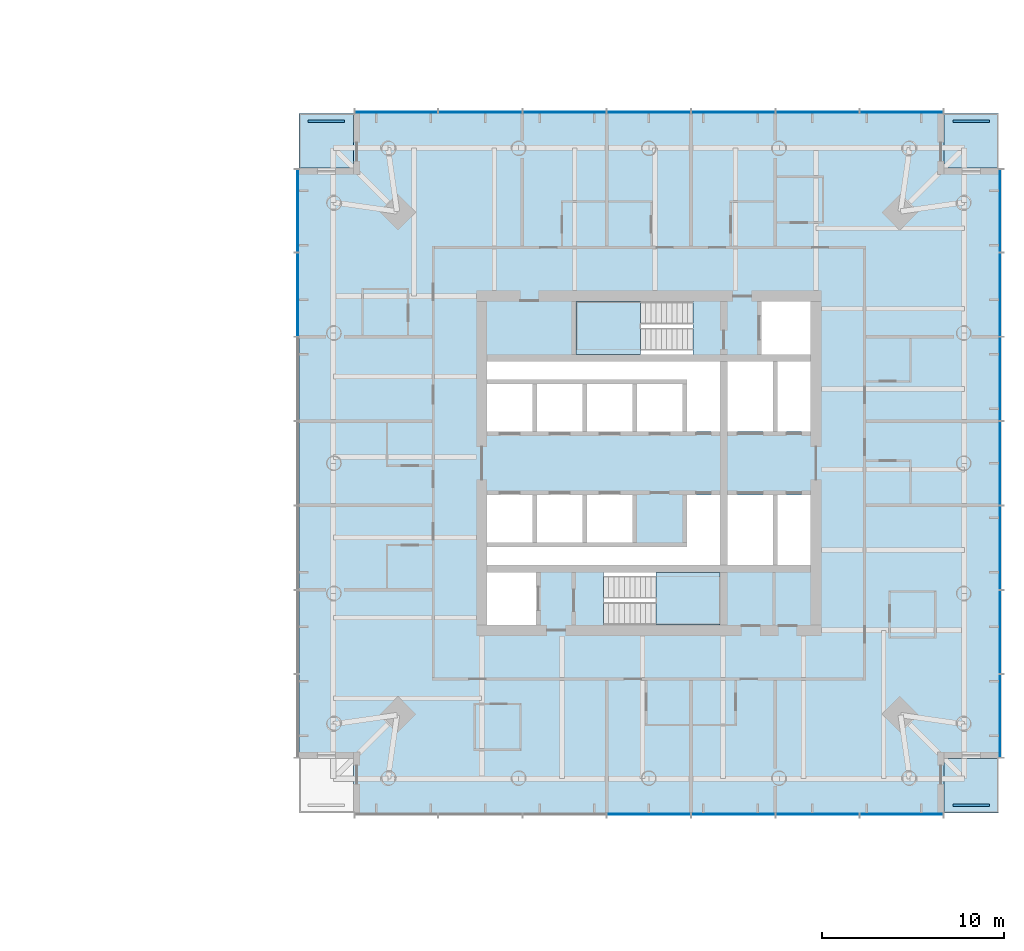
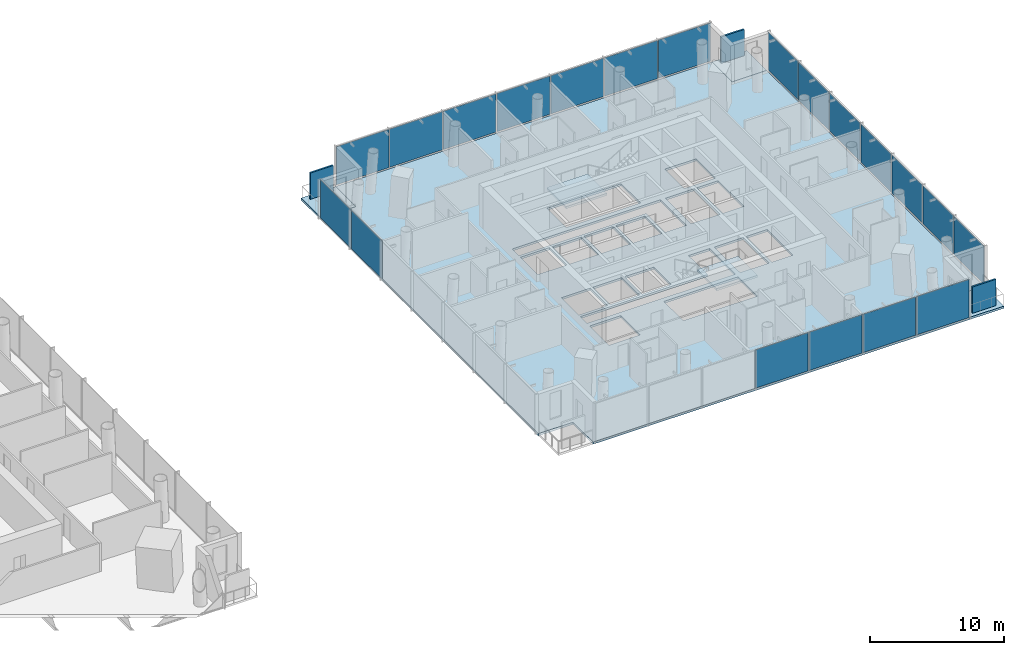
# One storey, part 9 of 21: 23 plates, 6 slabs, 6 elements without a shape of their own.
"""IFC4 building model written with IfcOpenShell, lengths in metres."""

import ifcopenshell
import ifcopenshell.guid

model = None  # the IFC model being written
_history = None  # IfcOwnerHistory: only IFC2X3 demands one
_inside = {}  # id of a spatial element -> (the spatial element, [elements in it])
_under = {}  # id of a project, library or spatial element -> (it, [spatial elements below it])
_declared = {}  # id of a project -> (the project, [libraries it declares])
_typed = {}  # id of a type object -> (the type object, [elements of that type])
_made_of = {}  # id of a material, layer set ... -> (it, [elements and type objects made of it])


def new_model(schema):
    """Start an empty IFC model of exactly this schema.

    Asked for "IFC4X3", IfcOpenShell would pick the latest addendum, in which some entities
    have other attributes; the version numbers below select the first issue.
    IFC2X3 requires an IfcOwnerHistory on every rooted entity: one is made here for all.
    """
    global model, _history
    if schema == "IFC4X3":
        model = ifcopenshell.file(schema_version=(4, 3, 0, 0))
    else:
        model = ifcopenshell.file(schema=schema)
    _inside.clear()
    _under.clear()
    _declared.clear()
    _typed.clear()
    _made_of.clear()
    _history = None
    if model.schema == "IFC2X3":
        org = make("IfcOrganization", Name="unknown")
        user = make(
            "IfcPersonAndOrganization",
            ThePerson=make("IfcPerson", FamilyName="unknown"),
            TheOrganization=org,
        )
        app = make(
            "IfcApplication",
            ApplicationDeveloper=org,
            Version="unknown",
            ApplicationFullName="unknown",
            ApplicationIdentifier="unknown",
        )
        _history = make(
            "IfcOwnerHistory",
            OwningUser=user,
            OwningApplication=app,
            ChangeAction="ADDED",
            CreationDate=0,
        )
    return model


def make(cls, **values):
    """One entity of the class cls with the attributes given. An attribute that is None is left unset."""
    return model.create_entity(
        cls, **{name: value for name, value in values.items() if value is not None}
    )


def rooted(cls, **values):
    """An entity with a GlobalId (a new one), such as an element, a storey or a relation."""
    return make(cls, GlobalId=ifcopenshell.guid.new(), OwnerHistory=_history, **values)


def si_unit(unit_type, name, prefix=None):
    """IfcSIUnit, for example si_unit("LENGTHUNIT", "METRE", prefix="MILLI")."""
    return make("IfcSIUnit", UnitType=unit_type, Prefix=prefix, Name=name)


def assignment(units):
    """IfcUnitAssignment: the units of a project."""
    return None if units is None else make("IfcUnitAssignment", Units=units)


def point(xyz):
    """IfcCartesianPoint."""
    return None if xyz is None else make("IfcCartesianPoint", Coordinates=xyz)


def direction(xyz):
    """IfcDirection."""
    return None if xyz is None else make("IfcDirection", DirectionRatios=xyz)


def frame(location, z_axis=None, x_axis=None):
    """IfcAxis2Placement3D, a coordinate frame: its origin and axes. An axis left out is left unset."""
    return make(
        "IfcAxis2Placement3D",
        Location=point(location),
        Axis=direction(z_axis),
        RefDirection=direction(x_axis),
    )


def frame_2d(location, x_axis=None):
    """IfcAxis2Placement2D, a coordinate frame in the plane: its origin and x axis."""
    return make(
        "IfcAxis2Placement2D", Location=point(location), RefDirection=direction(x_axis)
    )


def origin():
    """The frame at (0, 0, 0) with its axes left unset."""
    return frame((0.0, 0.0, 0.0))


def origin_2d():
    """The frame at (0, 0) in the plane with its x axis left unset."""
    return frame_2d((0.0, 0.0))


def place(relative_to, where):
    """IfcLocalPlacement: puts the frame where relative to a parent placement (None: the world)."""
    return make(
        "IfcLocalPlacement", PlacementRelTo=relative_to, RelativePlacement=where
    )


def context(
    kind, dimensions, precision=None, world=None, true_north=None, identifier=None
):
    """IfcGeometricRepresentationContext, for example the 3D "Model" context."""
    return make(
        "IfcGeometricRepresentationContext",
        ContextIdentifier=identifier,
        ContextType=kind,
        CoordinateSpaceDimension=dimensions,
        Precision=precision,
        WorldCoordinateSystem=world,
        TrueNorth=true_north,
    )


def subcontext(parent, identifier, kind, view, scale=None):
    """IfcGeometricRepresentationSubContext, for example "Body" below "Model"."""
    return make(
        "IfcGeometricRepresentationSubContext",
        ContextIdentifier=identifier,
        ContextType=kind,
        ParentContext=parent,
        TargetScale=scale,
        TargetView=view,
    )


def project(units=None, contexts=None):
    """IfcProject with its units and contexts."""
    return rooted(
        "IfcProject",
        Name="project",
        RepresentationContexts=contexts,
        UnitsInContext=assignment(units),
    )


def spatial(cls, under=None, at=None, **own):
    """A site, building, storey or space (cls), placed at a placement, below another one or the project."""
    s = rooted(cls, ObjectPlacement=at, **own)
    if under is not None:
        _under.setdefault(under.id(), (under, []))[1].append(s)
    return s


def polyline(points):
    """IfcPolyline through the points."""
    return make("IfcPolyline", Points=[point(p) for p in points])


def profile(cls, at=None, kind="AREA", **sizes):
    """A parametric profile (cls). Its sizes go by their IFC names, for example OverallWidth=200.0."""
    return make(cls, ProfileType=kind, Position=at, **sizes)


def rectangle(**sizes):
    """IfcRectangleProfileDef."""
    return profile("IfcRectangleProfileDef", **sizes)


def outline(outer, holes=None, kind="AREA"):
    """IfcArbitraryClosedProfileDef: a profile drawn as a closed curve; with holes, ...WithVoids."""
    if holes is None:
        return make("IfcArbitraryClosedProfileDef", ProfileType=kind, OuterCurve=outer)
    return make(
        "IfcArbitraryProfileDefWithVoids",
        ProfileType=kind,
        OuterCurve=outer,
        InnerCurves=holes,
    )


def extrude(swept, where, along, depth):
    """IfcExtrudedAreaSolid: the profile swept, set in the frame where, extruded along a direction by depth."""
    return make(
        "IfcExtrudedAreaSolid",
        SweptArea=swept,
        Position=where,
        ExtrudedDirection=direction(along),
        Depth=depth,
    )


def shape(context_of_items, identifier, shape_type, items):
    """IfcShapeRepresentation: the items that make up one representation, for example the "Body"."""
    return make(
        "IfcShapeRepresentation",
        ContextOfItems=context_of_items,
        RepresentationIdentifier=identifier,
        RepresentationType=shape_type,
        Items=items,
    )


def material(Name=None, Category=None):
    """IfcMaterial."""
    return make("IfcMaterial", Name=Name, Category=Category)


def layer(
    of_material, thickness, ventilated=None, Name=None, Category=None, Priority=None
):
    """IfcMaterialLayer: one layer of a wall or slab, of a material (None: an air gap)."""
    return make(
        "IfcMaterialLayer",
        Material=of_material,
        LayerThickness=thickness,
        IsVentilated=ventilated,
        Name=Name,
        Category=Category,
        Priority=Priority,
    )


def layer_set(layers, Name=None):
    """IfcMaterialLayerSet."""
    return make("IfcMaterialLayerSet", MaterialLayers=layers, LayerSetName=Name)


def made_of(thing, what):
    """Note that an element or type object is made of a material, layer set ...; save() writes the relation."""
    if what is not None:
        _made_of.setdefault(what.id(), (what, []))[1].append(thing)
    return thing


def type_object(cls, material=None, **own):
    """A type object (cls), such as IfcWallType, which elements share."""
    return made_of(rooted(cls, **own), material)


def element(
    cls,
    number,
    at=None,
    inside=None,
    cuts=None,
    type_object=None,
    material=None,
    context=None,
    identifier="Body",
    shape_type=None,
    held_by="IfcProductDefinitionShape",
    body=None,
    shapes=None,
    **own,
):
    """One element of the class cls, such as IfcWall. Its Tag is "e" and its number.

    at: its placement. inside: the storey or other place that contains it. cuts: it is an
    opening in that element (IfcRelVoidsElement). A single representation is given by context,
    identifier, shape_type and body (its items); several are given by shapes. held_by: the class
    of the entity that holds the representations. save() writes the other relations.
    """
    e = rooted(cls, Tag="e%d" % number, ObjectPlacement=at, **own)
    if body is not None:
        shapes = [shape(context, identifier, shape_type, body)]
    if shapes is not None:
        e.Representation = make(held_by, Representations=shapes)
    if inside is not None:
        _inside.setdefault(inside.id(), (inside, []))[1].append(e)
    if cuts is not None:
        rooted(
            "IfcRelVoidsElement", RelatingBuildingElement=cuts, RelatedOpeningElement=e
        )
    if type_object is not None:
        _typed.setdefault(type_object.id(), (type_object, []))[1].append(e)
    return made_of(e, material)


def aggregate(whole, parts):
    """IfcRelAggregates: a whole, such as a stair, and the parts it consists of."""
    return rooted("IfcRelAggregates", RelatingObject=whole, RelatedObjects=parts)


def save(model, path):
    """Write the relations noted so far, then the file.

    IfcRelAggregates (storeys below a building ...), IfcRelContainedInSpatialStructure (elements
    in a storey), IfcRelDefinesByType, IfcRelAssociatesMaterial and IfcRelDeclares: one each for
    every whole, place, type object, material and project.
    """
    for whole, parts in _under.values():
        aggregate(whole, parts)
    for where, things in _inside.values():
        rooted(
            "IfcRelContainedInSpatialStructure",
            RelatedElements=things,
            RelatingStructure=where,
        )
    for kind, things in _typed.values():
        rooted("IfcRelDefinesByType", RelatedObjects=things, RelatingType=kind)
    for what, things in _made_of.values():
        rooted("IfcRelAssociatesMaterial", RelatedObjects=things, RelatingMaterial=what)
    for by, libraries in _declared.values():
        rooted("IfcRelDeclares", RelatingContext=by, RelatedDefinitions=libraries)
    model.write(path)


model = new_model("IFC4")

# Units and contexts
model_context = context("Model", 3, precision=1e-05, world=origin(), true_north=direction((0.0, 1.0)))
body_context = subcontext(model_context, "Body", "Model", "MODEL_VIEW")
ifc_project = project(units=[si_unit("LENGTHUNIT", "METRE"), si_unit("AREAUNIT", "SQUARE_METRE"), si_unit("VOLUMEUNIT", "CUBIC_METRE"), si_unit("PLANEANGLEUNIT", "RADIAN"), si_unit("MASSUNIT", "GRAM", prefix="KILO")], contexts=[model_context])

# Site, building, storey
site_placement = place(None, origin())
site = spatial("IfcSite", under=ifc_project, at=site_placement, CompositionType="ELEMENT")
building_placement = place(site_placement, origin())
building = spatial("IfcBuilding", under=site, at=building_placement, Name="Ostroluk Exchange", CompositionType="ELEMENT")
storey_placement = place(building_placement, frame((0.0, 0.0, 59.0)))
storey = spatial("IfcBuildingStorey", under=building, at=storey_placement, Name="L14", CompositionType="ELEMENT", Elevation=59.0)

# Curtain wall, plates
ifc_material_1 = material(Name="Laminated clear glass", Category="glass")
curtain_wall_type = type_object("IfcCurtainWallType", Name="Hotel guest floor facade", PredefinedType="USERDEFINED", material=ifc_material_1)
curtain_wall_1_placement = place(storey_placement, origin())
curtain_wall_1 = element("IfcCurtainWall", 1, at=curtain_wall_1_placement, inside=storey, type_object=curtain_wall_type, Name="Hotel tower south facade L14", ObjectType="UNITISED CURTAIN WALL", PredefinedType="USERDEFINED")
ifc_material_2 = material(Name="Laminated clear glass", Category="glass")
ifc_layer_1 = layer(ifc_material_2, 0.0400390625)
ifc_layer_set_1 = layer_set([ifc_layer_1], Name="Acoustic laminated glazing 40")
plate_type_1 = type_object("IfcPlateType", Name="Acoustic laminated glazing 40", PredefinedType="CURTAIN_PANEL", material=ifc_layer_set_1)
plate_1_placement = place(storey_placement, frame((117.0, 26.675048828125, 0.080078125), z_axis=(0.0, 0.0, 1.0), x_axis=(1.0, 0.0, 0.0)))
plate_1 = element("IfcPlate", 2, at=plate_1_placement, type_object=plate_type_1, Name="CW-H1 panel 4.1", PredefinedType="CURTAIN_PANEL", context=body_context, shape_type="SweptSolid", body=[
    extrude(rectangle(XDim=4.562744140625, YDim=0.0400390625, at=origin_2d()), origin(), (0.0, 0.0, 1.0), 3.489990234375),
])
plate_2_placement = place(storey_placement, frame((121.642822265625, 26.675048828125, 0.080078125), z_axis=(0.0, 0.0, 1.0), x_axis=(1.0, 0.0, 0.0)))
plate_2 = element("IfcPlate", 3, at=plate_2_placement, type_object=plate_type_1, Name="CW-H1 panel 5.1", PredefinedType="CURTAIN_PANEL", context=body_context, shape_type="SweptSolid", body=[
    extrude(rectangle(XDim=4.562744140625, YDim=0.0400390625, at=origin_2d()), origin(), (0.0, 0.0, 1.0), 3.489990234375),
])
plate_3_placement = place(storey_placement, frame((126.28564453125, 26.675048828125, 0.080078125), z_axis=(0.0, 0.0, 1.0), x_axis=(1.0, 0.0, 0.0)))
plate_3 = element("IfcPlate", 4, at=plate_3_placement, type_object=plate_type_1, Name="CW-H1 panel 6.1", PredefinedType="CURTAIN_PANEL", context=body_context, shape_type="SweptSolid", body=[
    extrude(rectangle(XDim=4.562744140625, YDim=0.0400390625, at=origin_2d()), origin(), (0.0, 0.0, 1.0), 3.489990234375),
])
plate_4_placement = place(storey_placement, frame((130.90869140625, 26.675048828125, 0.080078125), z_axis=(0.0, 0.0, 1.0), x_axis=(1.0, 0.0, 0.0)))
plate_4 = element("IfcPlate", 5, at=plate_4_placement, type_object=plate_type_1, Name="CW-H1 panel 7.1", PredefinedType="CURTAIN_PANEL", context=body_context, shape_type="SweptSolid", body=[
    extrude(rectangle(XDim=4.52294921875, YDim=0.0400390625, at=origin_2d()), origin(), (0.0, 0.0, 1.0), 3.489990234375),
])
aggregate(curtain_wall_1, [plate_1, plate_2, plate_3, plate_4])

curtain_wall_2_placement = place(storey_placement, origin())
curtain_wall_2 = element("IfcCurtainWall", 6, at=curtain_wall_2_placement, inside=storey, type_object=curtain_wall_type, Name="Hotel tower east facade L14", ObjectType="UNITISED CURTAIN WALL", PredefinedType="USERDEFINED")
plate_5_placement = place(storey_placement, frame((136.324951171875, 32.09130859375, 0.080078125), z_axis=(0.0, 0.0, 1.0), x_axis=(0.0, 1.0, 0.0)))
plate_5 = element("IfcPlate", 7, at=plate_5_placement, type_object=plate_type_1, Name="CW-H1 panel 1.1", PredefinedType="CURTAIN_PANEL", context=body_context, shape_type="SweptSolid", body=[
    extrude(rectangle(XDim=4.52294921875, YDim=0.0400390625, at=origin_2d()), origin(), (0.0, 0.0, 1.0), 3.489990234375),
])
plate_6_placement = place(storey_placement, frame((136.324951171875, 36.71435546875, 0.080078125), z_axis=(0.0, 0.0, 1.0), x_axis=(0.0, 1.0, 0.0)))
plate_6 = element("IfcPlate", 8, at=plate_6_placement, type_object=plate_type_1, Name="CW-H1 panel 2.1", PredefinedType="CURTAIN_PANEL", context=body_context, shape_type="SweptSolid", body=[
    extrude(rectangle(XDim=4.562744140625, YDim=0.0400390625, at=origin_2d()), origin(), (0.0, 0.0, 1.0), 3.489990234375),
])
plate_7_placement = place(storey_placement, frame((136.324951171875, 41.357177734375, 0.080078125), z_axis=(0.0, 0.0, 1.0), x_axis=(0.0, 1.0, 0.0)))
plate_7 = element("IfcPlate", 9, at=plate_7_placement, type_object=plate_type_1, Name="CW-H1 panel 3.1", PredefinedType="CURTAIN_PANEL", context=body_context, shape_type="SweptSolid", body=[
    extrude(rectangle(XDim=4.562744140625, YDim=0.0400390625, at=origin_2d()), origin(), (0.0, 0.0, 1.0), 3.489990234375),
])
plate_8_placement = place(storey_placement, frame((136.324951171875, 46.0, 0.080078125), z_axis=(0.0, 0.0, 1.0), x_axis=(0.0, 1.0, 0.0)))
plate_8 = element("IfcPlate", 10, at=plate_8_placement, type_object=plate_type_1, Name="CW-H1 panel 4.1", PredefinedType="CURTAIN_PANEL", context=body_context, shape_type="SweptSolid", body=[
    extrude(rectangle(XDim=4.562744140625, YDim=0.0400390625, at=origin_2d()), origin(), (0.0, 0.0, 1.0), 3.489990234375),
])
plate_9_placement = place(storey_placement, frame((136.324951171875, 50.642822265625, 0.080078125), z_axis=(0.0, 0.0, 1.0), x_axis=(0.0, 1.0, 0.0)))
plate_9 = element("IfcPlate", 11, at=plate_9_placement, type_object=plate_type_1, Name="CW-H1 panel 5.1", PredefinedType="CURTAIN_PANEL", context=body_context, shape_type="SweptSolid", body=[
    extrude(rectangle(XDim=4.562744140625, YDim=0.0400390625, at=origin_2d()), origin(), (0.0, 0.0, 1.0), 3.489990234375),
])
plate_10_placement = place(storey_placement, frame((136.324951171875, 55.28564453125, 0.080078125), z_axis=(0.0, 0.0, 1.0), x_axis=(0.0, 1.0, 0.0)))
plate_10 = element("IfcPlate", 12, at=plate_10_placement, type_object=plate_type_1, Name="CW-H1 panel 6.1", PredefinedType="CURTAIN_PANEL", context=body_context, shape_type="SweptSolid", body=[
    extrude(rectangle(XDim=4.562744140625, YDim=0.0400390625, at=origin_2d()), origin(), (0.0, 0.0, 1.0), 3.489990234375),
])
plate_11_placement = place(storey_placement, frame((136.324951171875, 59.90869140625, 0.080078125), z_axis=(0.0, 0.0, 1.0), x_axis=(0.0, 1.0, 0.0)))
plate_11 = element("IfcPlate", 13, at=plate_11_placement, type_object=plate_type_1, Name="CW-H1 panel 7.1", PredefinedType="CURTAIN_PANEL", context=body_context, shape_type="SweptSolid", body=[
    extrude(rectangle(XDim=4.52294921875, YDim=0.0400390625, at=origin_2d()), origin(), (0.0, 0.0, 1.0), 3.489990234375),
])
aggregate(curtain_wall_2, [plate_5, plate_6, plate_7, plate_8, plate_9, plate_10, plate_11])

curtain_wall_3_placement = place(storey_placement, origin())
curtain_wall_3 = element("IfcCurtainWall", 14, at=curtain_wall_3_placement, inside=storey, type_object=curtain_wall_type, Name="Hotel tower north facade L14", ObjectType="UNITISED CURTAIN WALL", PredefinedType="USERDEFINED")
plate_12_placement = place(storey_placement, frame((130.90869140625, 65.324951171875, 0.080078125), z_axis=(0.0, 0.0, 1.0), x_axis=(-1.0, 0.0, 0.0)))
plate_12 = element("IfcPlate", 15, at=plate_12_placement, type_object=plate_type_1, Name="CW-H1 panel 1.1", PredefinedType="CURTAIN_PANEL", context=body_context, shape_type="SweptSolid", body=[
    extrude(rectangle(XDim=4.52294921875, YDim=0.0400390625, at=origin_2d()), origin(), (0.0, 0.0, 1.0), 3.489990234375),
])
plate_13_placement = place(storey_placement, frame((126.28564453125, 65.324951171875, 0.080078125), z_axis=(0.0, 0.0, 1.0), x_axis=(-1.0, 0.0, 0.0)))
plate_13 = element("IfcPlate", 16, at=plate_13_placement, type_object=plate_type_1, Name="CW-H1 panel 2.1", PredefinedType="CURTAIN_PANEL", context=body_context, shape_type="SweptSolid", body=[
    extrude(rectangle(XDim=4.562744140625, YDim=0.0400390625, at=origin_2d()), origin(), (0.0, 0.0, 1.0), 3.489990234375),
])
plate_14_placement = place(storey_placement, frame((121.642822265625, 65.324951171875, 0.080078125), z_axis=(0.0, 0.0, 1.0), x_axis=(-1.0, 0.0, 0.0)))
plate_14 = element("IfcPlate", 17, at=plate_14_placement, type_object=plate_type_1, Name="CW-H1 panel 3.1", PredefinedType="CURTAIN_PANEL", context=body_context, shape_type="SweptSolid", body=[
    extrude(rectangle(XDim=4.562744140625, YDim=0.0400390625, at=origin_2d()), origin(), (0.0, 0.0, 1.0), 3.489990234375),
])
plate_15_placement = place(storey_placement, frame((117.0, 65.324951171875, 0.080078125), z_axis=(0.0, 0.0, 1.0), x_axis=(-1.0, 0.0, 0.0)))
plate_15 = element("IfcPlate", 18, at=plate_15_placement, type_object=plate_type_1, Name="CW-H1 panel 4.1", PredefinedType="CURTAIN_PANEL", context=body_context, shape_type="SweptSolid", body=[
    extrude(rectangle(XDim=4.562744140625, YDim=0.0400390625, at=origin_2d()), origin(), (0.0, 0.0, 1.0), 3.489990234375),
])
plate_16_placement = place(storey_placement, frame((112.357177734375, 65.324951171875, 0.080078125), z_axis=(0.0, 0.0, 1.0), x_axis=(-1.0, 0.0, 0.0)))
plate_16 = element("IfcPlate", 19, at=plate_16_placement, type_object=plate_type_1, Name="CW-H1 panel 5.1", PredefinedType="CURTAIN_PANEL", context=body_context, shape_type="SweptSolid", body=[
    extrude(rectangle(XDim=4.562744140625, YDim=0.0400390625, at=origin_2d()), origin(), (0.0, 0.0, 1.0), 3.489990234375),
])
plate_17_placement = place(storey_placement, frame((107.71435546875, 65.324951171875, 0.080078125), z_axis=(0.0, 0.0, 1.0), x_axis=(-1.0, 0.0, 0.0)))
plate_17 = element("IfcPlate", 20, at=plate_17_placement, type_object=plate_type_1, Name="CW-H1 panel 6.1", PredefinedType="CURTAIN_PANEL", context=body_context, shape_type="SweptSolid", body=[
    extrude(rectangle(XDim=4.562744140625, YDim=0.0400390625, at=origin_2d()), origin(), (0.0, 0.0, 1.0), 3.489990234375),
])
plate_18_placement = place(storey_placement, frame((103.09130859375, 65.324951171875, 0.080078125), z_axis=(0.0, 0.0, 1.0), x_axis=(-1.0, 0.0, 0.0)))
plate_18 = element("IfcPlate", 21, at=plate_18_placement, type_object=plate_type_1, Name="CW-H1 panel 7.1", PredefinedType="CURTAIN_PANEL", context=body_context, shape_type="SweptSolid", body=[
    extrude(rectangle(XDim=4.52294921875, YDim=0.0400390625, at=origin_2d()), origin(), (0.0, 0.0, 1.0), 3.489990234375),
])
aggregate(curtain_wall_3, [plate_12, plate_13, plate_14, plate_15, plate_16, plate_17, plate_18])

curtain_wall_4_placement = place(storey_placement, origin())
curtain_wall_4 = element("IfcCurtainWall", 22, at=curtain_wall_4_placement, inside=storey, type_object=curtain_wall_type, Name="Hotel tower west facade L14", ObjectType="UNITISED CURTAIN WALL", PredefinedType="USERDEFINED")
plate_19_placement = place(storey_placement, frame((97.675048828125, 59.90869140625, 0.080078125), z_axis=(0.0, 0.0, 1.0), x_axis=(0.0, -1.0, 0.0)))
plate_19 = element("IfcPlate", 23, at=plate_19_placement, type_object=plate_type_1, Name="CW-H1 panel 1.1", PredefinedType="CURTAIN_PANEL", context=body_context, shape_type="SweptSolid", body=[
    extrude(rectangle(XDim=4.52294921875, YDim=0.0400390625, at=origin_2d()), origin(), (0.0, 0.0, 1.0), 3.489990234375),
])
plate_20_placement = place(storey_placement, frame((97.675048828125, 55.28564453125, 0.080078125), z_axis=(0.0, 0.0, 1.0), x_axis=(0.0, -1.0, 0.0)))
plate_20 = element("IfcPlate", 24, at=plate_20_placement, type_object=plate_type_1, Name="CW-H1 panel 2.1", PredefinedType="CURTAIN_PANEL", context=body_context, shape_type="SweptSolid", body=[
    extrude(rectangle(XDim=4.562744140625, YDim=0.0400390625, at=origin_2d()), origin(), (0.0, 0.0, 1.0), 3.489990234375),
])
aggregate(curtain_wall_4, [plate_19, plate_20])

# Slabs
ifc_material_3 = material(Name="Concrete C35/45", Category="concrete")
ifc_layer_2 = layer(ifc_material_3, 0.199951171875)
ifc_layer_set_2 = layer_set([ifc_layer_2], Name="Balcony slab 200")
slab_type_1 = type_object("IfcSlabType", Name="Balcony slab 200", PredefinedType="USERDEFINED", material=ifc_layer_set_2)
slab_1_placement = place(storey_placement, frame((0.0, 0.0, -0.199951171875)))
element("IfcSlab", 25, at=slab_1_placement, inside=storey, type_object=slab_type_1, Name="Hotel tower SE corner balcony L14", ObjectType="BALCONY", PredefinedType="USERDEFINED", context=body_context, shape_type="SweptSolid", body=[
    extrude(outline(polyline([(133.25, 26.75), (136.25, 26.75), (136.25, 29.75), (133.25, 29.75), (133.25, 26.75)])), origin(), (0.0, 0.0, 1.0), 0.199951171875),
])
slab_2_placement = place(storey_placement, frame((0.0, 0.0, -0.199951171875)))
element("IfcSlab", 26, at=slab_2_placement, inside=storey, type_object=slab_type_1, Name="Hotel tower NE corner balcony L14", ObjectType="BALCONY", PredefinedType="USERDEFINED", context=body_context, shape_type="SweptSolid", body=[
    extrude(outline(polyline([(133.25, 62.25), (136.25, 62.25), (136.25, 65.25), (133.25, 65.25), (133.25, 62.25)])), origin(), (0.0, 0.0, 1.0), 0.199951171875),
])
slab_3_placement = place(storey_placement, frame((0.0, 0.0, -0.199951171875)))
element("IfcSlab", 27, at=slab_3_placement, inside=storey, type_object=slab_type_1, Name="Hotel tower NW corner balcony L14", ObjectType="BALCONY", PredefinedType="USERDEFINED", context=body_context, shape_type="SweptSolid", body=[
    extrude(outline(polyline([(97.75, 62.25), (100.75, 62.25), (100.75, 65.25), (97.75, 65.25), (97.75, 62.25)])), origin(), (0.0, 0.0, 1.0), 0.199951171875),
])

# Plates
ifc_material_4 = material(Name="Steel S355 trellis with planting", Category="steel")
ifc_layer_3 = layer(ifc_material_4, 0.14990234375)
ifc_layer_set_3 = layer_set([ifc_layer_3], Name="Planted screen 150")
plate_type_2 = type_object("IfcPlateType", Name="Planted screen 150", PredefinedType="USERDEFINED", material=ifc_layer_set_3)
for number, where, z_axis, x_axis, name in (
    (28, (134.75, 27.175048828125, 0.0), (0.0, 0.0, 1.0), (1.0, 0.0, 0.0), "Hotel tower SE planted screen L14"),
    (29, (134.75, 64.824951171875, 0.0), (0.0, 0.0, 1.0), (1.0, 0.0, 0.0), "Hotel tower NE planted screen L14"),
    (30, (99.25, 64.824951171875, 0.0), (0.0, 0.0, 1.0), (1.0, 0.0, 0.0), "Hotel tower NW planted screen L14"),
):
    element("IfcPlate", number, at=place(storey_placement, frame(where, z_axis=z_axis, x_axis=x_axis)), inside=storey, type_object=plate_type_2, Name=name, ObjectType="PLANTED SCREEN", PredefinedType="USERDEFINED", context=body_context, shape_type="SweptSolid", body=[
        extrude(rectangle(XDim=2.0, YDim=0.14990234375, at=origin_2d()), origin(), (0.0, 0.0, 1.0), 2.39990234375),
    ])

# Stair, slab
ifc_material_5 = material(Name="Concrete C30/37", Category="concrete")
stair_type = type_object("IfcStairType", Name="Exit stair half turn 3800", PredefinedType="HALF_TURN_STAIR", material=ifc_material_5)
stair_1_placement = place(storey_placement, origin())
stair_1 = element("IfcStair", 31, at=stair_1_placement, inside=storey, type_object=stair_type, Name="Stair T2-S1 L14", PredefinedType="HALF_TURN_STAIR")
ifc_material_6 = material(Name="Concrete C30/37", Category="concrete")
ifc_layer_4 = layer(ifc_material_6, 0.199951171875)
ifc_layer_set_4 = layer_set([ifc_layer_4], Name="Stair landing 200")
slab_type_2 = type_object("IfcSlabType", Name="Stair landing 200", PredefinedType="LANDING", material=ifc_layer_set_4)
slab_4_placement = place(storey_placement, frame((0.0, 0.0, 1.699951171875)))
slab_4 = element("IfcSlab", 32, at=slab_4_placement, type_object=slab_type_2, Name="T2-S1 landing 1", PredefinedType="LANDING", context=body_context, shape_type="SweptSolid", body=[
    extrude(outline(polyline([(117.39990234375, 37.10009765625), (117.39990234375, 40.0), (120.929931640625, 40.0), (120.929931640625, 37.10009765625), (117.39990234375, 37.10009765625)])), origin(), (0.0, 0.0, 1.0), 0.199951171875),
])
aggregate(stair_1, [slab_4])

stair_2_placement = place(storey_placement, origin())
stair_2 = element("IfcStair", 33, at=stair_2_placement, inside=storey, type_object=stair_type, Name="Stair T2-S2 L14", PredefinedType="HALF_TURN_STAIR")
slab_5_placement = place(storey_placement, frame((0.0, 0.0, 1.699951171875)))
slab_5 = element("IfcSlab", 34, at=slab_5_placement, type_object=slab_type_2, Name="T2-S2 landing 1", PredefinedType="LANDING", context=body_context, shape_type="SweptSolid", body=[
    extrude(outline(polyline([(116.530029296875, 52.0), (116.530029296875, 54.89990234375), (113.0, 54.89990234375), (113.0, 52.0), (116.530029296875, 52.0)])), origin(), (0.0, 0.0, 1.0), 0.199951171875),
])
aggregate(stair_2, [slab_5])

# Slab
ifc_material_7 = material(Name="Concrete C35/45", Category="concrete")
ifc_layer_5 = layer(ifc_material_7, 0.199951171875)
ifc_layer_set_5 = layer_set([ifc_layer_5], Name="Tower floor slab 200 composite")
slab_type_3 = type_object("IfcSlabType", Name="Tower floor slab 200 composite", PredefinedType="FLOOR", material=ifc_layer_set_5)
slab_6_placement = place(storey_placement, frame((0.0, 0.0, -0.199951171875)))
element("IfcSlab", 35, at=slab_6_placement, inside=storey, type_object=slab_type_3, Name="Hotel tower floor slab L14", PredefinedType="FLOOR", context=body_context, shape_type="SweptSolid", body=[
    extrude(outline(polyline([(100.75, 26.75), (133.25, 26.75), (133.25, 29.75), (136.25, 29.75), (136.25, 62.25), (133.25, 62.25), (133.25, 65.25), (100.75, 65.25), (100.75, 62.25), (97.75, 62.25), (97.75, 29.75), (100.75, 29.75), (100.75, 26.75)]), holes=[polyline([(108.10009765625, 37.10009765625), (110.800048828125, 37.10009765625), (110.800048828125, 40.0), (108.10009765625, 40.0), (108.10009765625, 37.10009765625)]), polyline([(114.510009765625, 37.10009765625), (120.929931640625, 37.10009765625), (120.929931640625, 40.0), (114.510009765625, 40.0), (114.510009765625, 37.10009765625)]), polyline([(113.0, 52.0), (119.419921875, 52.0), (119.419921875, 54.89990234375), (113.0, 54.89990234375), (113.0, 52.0)]), polyline([(123.199951171875, 52.0), (125.89990234375, 52.0), (125.89990234375, 54.89990234375), (123.199951171875, 54.89990234375), (123.199951171875, 52.0)]), polyline([(108.10009765625, 47.75), (110.60009765625, 47.75), (110.60009765625, 50.35009765625), (108.10009765625, 50.35009765625), (108.10009765625, 47.75)]), polyline([(110.85009765625, 47.75), (113.35009765625, 47.75), (113.35009765625, 50.35009765625), (110.85009765625, 50.35009765625), (110.85009765625, 47.75)]), polyline([(113.60009765625, 47.75), (116.10009765625, 47.75), (116.10009765625, 50.35009765625), (113.60009765625, 50.35009765625), (113.60009765625, 47.75)]), polyline([(116.35009765625, 47.75), (118.85009765625, 47.75), (118.85009765625, 50.35009765625), (116.35009765625, 50.35009765625), (116.35009765625, 47.75)]), polyline([(108.10009765625, 41.64990234375), (110.60009765625, 41.64990234375), (110.60009765625, 44.25), (108.10009765625, 44.25), (108.10009765625, 41.64990234375)]), polyline([(110.85009765625, 41.64990234375), (113.35009765625, 41.64990234375), (113.35009765625, 44.25), (110.85009765625, 44.25), (110.85009765625, 41.64990234375)]), polyline([(113.60009765625, 41.64990234375), (116.10009765625, 41.64990234375), (116.10009765625, 44.25), (113.60009765625, 44.25), (113.60009765625, 41.64990234375)]), polyline([(121.330078125, 47.75), (123.830078125, 47.75), (123.830078125, 51.60009765625), (121.330078125, 51.60009765625), (121.330078125, 47.75)]), polyline([(121.330078125, 40.39990234375), (123.830078125, 40.39990234375), (123.830078125, 44.25), (121.330078125, 44.25), (121.330078125, 40.39990234375)]), polyline([(120.929931640625, 51.60009765625), (120.929931640625, 47.75), (119.10009765625, 47.75), (119.10009765625, 50.60009765625), (108.10009765625, 50.60009765625), (108.10009765625, 51.60009765625), (120.929931640625, 51.60009765625)]), polyline([(108.10009765625, 40.39990234375), (108.10009765625, 41.39990234375), (119.10009765625, 41.39990234375), (119.10009765625, 44.25), (120.929931640625, 44.25), (120.929931640625, 40.39990234375), (108.10009765625, 40.39990234375)]), polyline([(124.080078125, 47.75), (125.89990234375, 47.75), (125.89990234375, 51.60009765625), (124.080078125, 51.60009765625), (124.080078125, 47.75)]), polyline([(124.080078125, 40.39990234375), (125.89990234375, 40.39990234375), (125.89990234375, 44.25), (124.080078125, 44.25), (124.080078125, 40.39990234375)])]), origin(), (0.0, 0.0, 1.0), 0.199951171875),
])

save(model, "model.ifc")
